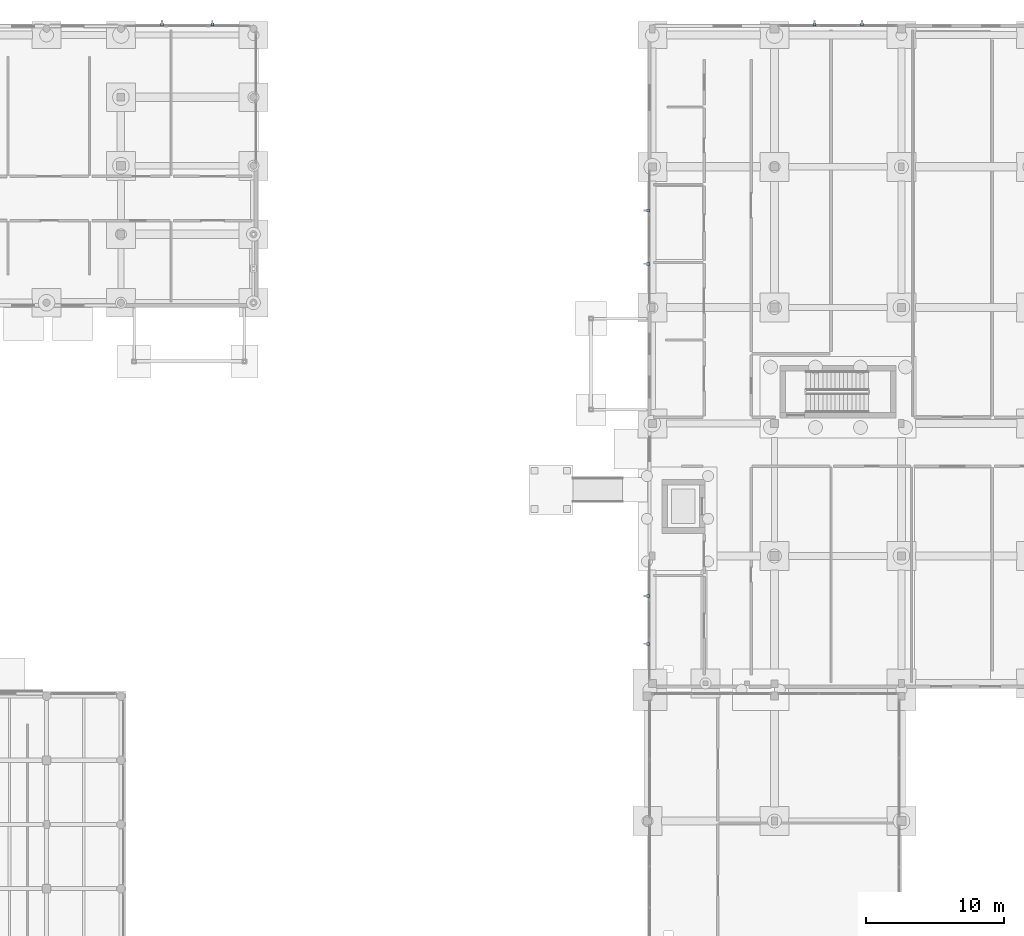
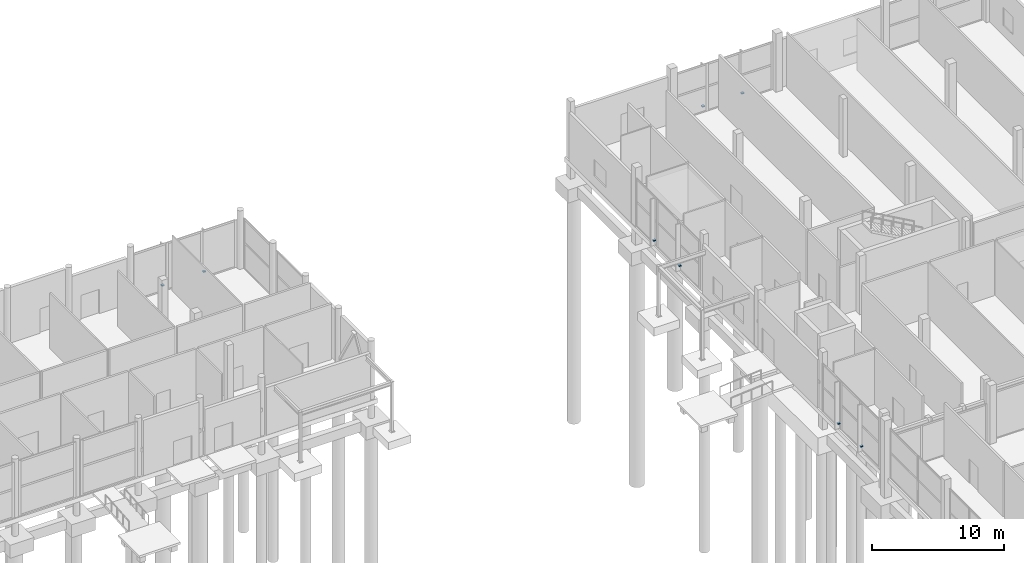
# One storey, part 73 of 88: 8 discrete accessories.
"""IFC4 building model written with IfcOpenShell, lengths in metres."""

from ifc_helpers import new_model, si_unit, direction, frame, origin, origin_2d, place, context, subcontext, project, spatial, rectangle, extrude, material, layer, layer_set, type_object, element, save


model = new_model("IFC4")

# Units and contexts
model_context = context("Model", 3, precision=1e-05, world=origin(), true_north=direction((0.0, 1.0)))
body_context = subcontext(model_context, "Body", "Model", "MODEL_VIEW")
ifc_project = project(units=[si_unit("LENGTHUNIT", "METRE"), si_unit("AREAUNIT", "SQUARE_METRE"), si_unit("VOLUMEUNIT", "CUBIC_METRE"), si_unit("PLANEANGLEUNIT", "RADIAN"), si_unit("MASSUNIT", "GRAM", prefix="KILO")], contexts=[model_context])

# Site, building, storey
site_placement = place(None, origin())
site = spatial("IfcSite", under=ifc_project, at=site_placement, CompositionType="ELEMENT")
building_placement = place(site_placement, origin())
building = spatial("IfcBuilding", under=site, at=building_placement, Name="Birchvale Park Specialist Clinic", CompositionType="ELEMENT")
storey_placement = place(building_placement, origin())
storey = spatial("IfcBuildingStorey", under=building, at=storey_placement, Name="L00", CompositionType="ELEMENT", Elevation=0.0)

# Discrete accessories
ifc_material = material(Name="Anodised aluminium facade bracket", Category="aluminium")
ifc_layer = layer(ifc_material, 0.080078125)
ifc_layer_set = layer_set([ifc_layer], Name="Anodised aluminium facade bracket")
discrete_accessory_type = type_object("IfcDiscreteAccessoryType", Name="ACC-BRK-1", PredefinedType="BRACKET", material=ifc_layer_set)
for number, where, z_axis, x_axis, name in (
    (1, (96.468017578125, 111.695068359375, 0.455078125), (0.0, 0.0, 1.0), (0.0, 1.0, 0.0), "V3 L00 solar fin bracket 1"),
    (2, (92.83203125, 111.695068359375, 0.455078125), (0.0, 0.0, 1.0), (0.0, 1.0, 0.0), "V3 L00 solar fin bracket 2"),
    (3, (143.533447265625, 111.715087890625, 0.455078125), (0.0, 0.0, 1.0), (0.0, 1.0, 0.0), "V6 L00 solar fin bracket 14"),
    (4, (140.091552734375, 111.715087890625, 0.455078125), (0.0, 0.0, 1.0), (0.0, 1.0, 0.0), "V6 L00 solar fin bracket 15"),
    (5, (128.034912109375, 98.22607421875, 0.455078125), (0.0, 0.0, 1.0), (1.0, 0.0, 0.0), "V6 L00 solar fin bracket 16"),
    (6, (128.034912109375, 94.3740234375, 0.455078125), (0.0, 0.0, 1.0), (1.0, 0.0, 0.0), "V6 L00 solar fin bracket 17"),
    (7, (128.034912109375, 70.31103515625, 0.455078125), (0.0, 0.0, 1.0), (1.0, 0.0, 0.0), "V6 L00 solar fin bracket 18"),
    (8, (128.034912109375, 66.839111328125, 0.455078125), (0.0, 0.0, 1.0), (1.0, 0.0, 0.0), "V6 L00 solar fin bracket 19"),
):
    element("IfcDiscreteAccessory", number, at=place(storey_placement, frame(where, z_axis=z_axis, x_axis=x_axis)), inside=storey, type_object=discrete_accessory_type, Name=name, PredefinedType="BRACKET", context=body_context, shape_type="SweptSolid", body=[
        extrude(rectangle(XDim=0.219970703125, YDim=0.219970703125, at=origin_2d()), origin(), (0.0, 0.0, 1.0), 0.090087890625),
    ])

save(model, "model.ifc")
